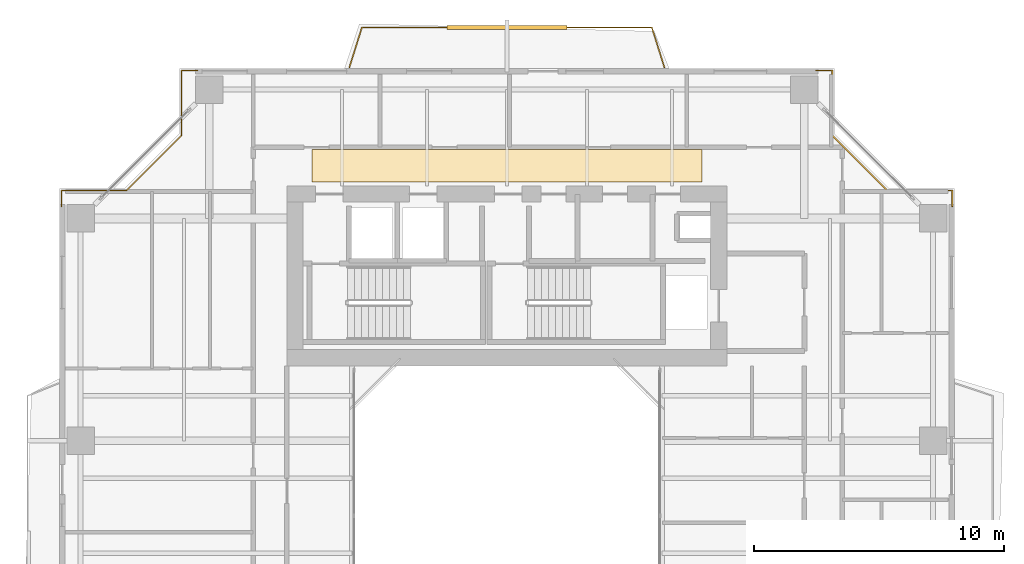
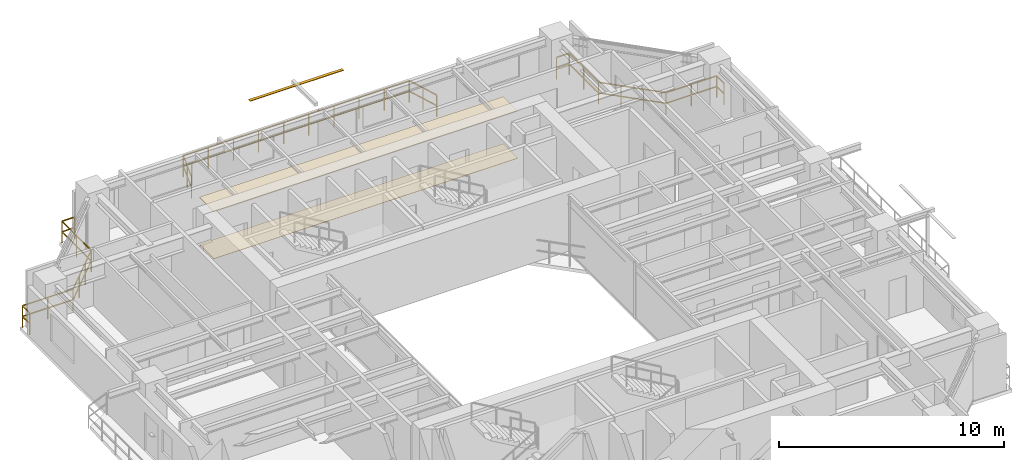
# One storey, part 17 of 17: 3 railings, 2 coverings, 1 shading device.
"""IFC4 building model written with IfcOpenShell, lengths in metres."""

from ifc_helpers import new_model, si_unit, direction, frame, origin, origin_2d, place, context, subcontext, project, spatial, polyline, rectangle, outline, extrude, source, transform, mapped, material, layer, layer_set, material_profile, profile_set, type_object, element, save


model = new_model("IFC4")

# Units and contexts
model_context = context("Model", 3, precision=1e-05, world=origin(), true_north=direction((0.0, 1.0)))
body_context = subcontext(model_context, "Body", "Model", "MODEL_VIEW")
ifc_project = project(units=[si_unit("LENGTHUNIT", "METRE"), si_unit("AREAUNIT", "SQUARE_METRE"), si_unit("VOLUMEUNIT", "CUBIC_METRE"), si_unit("PLANEANGLEUNIT", "RADIAN"), si_unit("MASSUNIT", "GRAM", prefix="KILO"), si_unit("THERMODYNAMICTEMPERATUREUNIT", "KELVIN"), si_unit("POWERUNIT", "WATT")], contexts=[model_context])

# Site, building, storey
site_placement = place(None, origin())
site = spatial("IfcSite", under=ifc_project, at=site_placement, CompositionType="ELEMENT")
building_placement = place(site_placement, origin())
building = spatial("IfcBuilding", under=site, at=building_placement, Name="Qiaomeng Ring Towers", CompositionType="ELEMENT")
storey_placement = place(building_placement, frame((0.0, 0.0, 116.5)))
storey = spatial("IfcBuildingStorey", under=building, at=storey_placement, Name="L33", CompositionType="ELEMENT", Elevation=116.5)

# Coverings
ifc_material_1 = material(Name="Moisture-resistant gypsum ceiling board", Category="gypsum")
ifc_layer_1 = layer(ifc_material_1, 0.030029296875, Name="Moisture-resistant gypsum ceiling board")
ifc_layer_set_1 = layer_set([ifc_layer_1], Name="Moisture-resistant gypsum ceiling board")
covering_type_1 = type_object("IfcCoveringType", Name="ARC-COV-CEIL2", PredefinedType="CEILING", material=ifc_layer_set_1)
covering_1_placement = place(storey_placement, frame((0.0, 0.0, 2.550048828125)))
element("IfcCovering", 1, at=covering_1_placement, inside=storey, type_object=covering_type_1, Name="L33 Corridor Acoustic Ceiling", PredefinedType="CEILING", context=body_context, shape_type="SweptSolid", body=[
    extrude(outline(polyline([(11.199951171875, 36.35009765625), (11.199951171875, 37.64990234375), (26.800048828125, 37.64990234375), (26.800048828125, 36.35009765625), (11.199951171875, 36.35009765625)])), origin(), (0.0, 0.0, 1.0), 0.02490234375),
])
ifc_material_2 = material(Name="Vitrified porcelain floor tile", Category="ceramic")
ifc_layer_2 = layer(ifc_material_2, 0.02001953125, Name="Vitrified porcelain floor tile")
ifc_layer_set_2 = layer_set([ifc_layer_2], Name="Vitrified porcelain floor tile")
covering_type_2 = type_object("IfcCoveringType", Name="ARC-COV-FLR1", PredefinedType="FLOORING", material=ifc_layer_set_2)
covering_2_placement = place(storey_placement, origin())
element("IfcCovering", 2, at=covering_2_placement, inside=storey, type_object=covering_type_2, Name="L33 Corridor Stone Flooring", PredefinedType="FLOORING", context=body_context, shape_type="SweptSolid", body=[
    extrude(outline(polyline([(11.199951171875, 36.35009765625), (11.199951171875, 37.64990234375), (26.800048828125, 37.64990234375), (26.800048828125, 36.35009765625), (11.199951171875, 36.35009765625)])), origin(), (0.0, 0.0, 1.0), 0.02001953125),
])

# Railings
ifc_material_3 = material(Name="Low-E pale-green laminated safety glass", Category="glass")
railing_type = type_object("IfcRailingType", Name="ARC-RL-BAL1", PredefinedType="BALUSTRADE", material=ifc_material_3)
railing_1_placement = place(storey_placement, frame((36.820068359375, 35.3701171875, 0.0)))
element("IfcRailing", 3, at=railing_1_placement, inside=storey, type_object=railing_type, Name="L33 Balustrade ARC-BAL-NOTCH1-L33-NE", PredefinedType="BALUSTRADE", context=body_context, shape_type="SweptSolid", body=[
    extrude(rectangle(XDim=0.048095703125, YDim=0.048095703125, at=origin_2d()), frame((0.0, 0.0, 1.17578125), z_axis=(0.0, 1.0, 0.0), x_axis=(-1.0, 0.0, 0.0)), (0.0, 0.0, 1.0), 0.64990234375),
    extrude(rectangle(XDim=0.048095703125, YDim=0.048095703125, at=origin_2d()), frame((0.0, 0.0, 0.60009765625), z_axis=(0.0, 1.0, 0.0), x_axis=(-1.0, 0.0, 0.0)), (0.0, 0.0, 1.0), 0.64990234375),
    extrude(rectangle(XDim=0.048095703125, YDim=0.048095703125, at=origin_2d()), frame((0.0, 0.64990234375, 1.17578125), z_axis=(-1.0, 0.0, 0.0), x_axis=(0.0, -1.0, 0.0)), (0.0, 0.0, 1.0), 2.60009765625),
    extrude(rectangle(XDim=0.048095703125, YDim=0.048095703125, at=origin_2d()), frame((0.0, 0.64990234375, 0.60009765625), z_axis=(-1.0, 0.0, 0.0), x_axis=(0.0, -1.0, 0.0)), (0.0, 0.0, 1.0), 2.60009765625),
    extrude(rectangle(XDim=0.048095703125, YDim=0.048095703125, at=origin_2d()), frame((-2.60009765625, 0.64990234375, 1.17578125), z_axis=(-0.707106781187, 0.707106781187, 0.0), x_axis=(-0.707106781187, -0.707106781187, 0.0)), (0.0, 0.0, 1.0), 3.111083984375),
    extrude(rectangle(XDim=0.048095703125, YDim=0.048095703125, at=origin_2d()), frame((-2.60009765625, 0.64990234375, 0.60009765625), z_axis=(-0.707106781187, 0.707106781187, 0.0), x_axis=(-0.707106781187, -0.707106781187, 0.0)), (0.0, 0.0, 1.0), 3.111083984375),
    extrude(rectangle(XDim=0.048095703125, YDim=0.048095703125, at=origin_2d()), frame((-4.800048828125, 2.849853515625, 1.17578125), z_axis=(0.0, 1.0, 0.0), x_axis=(-1.0, 0.0, 0.0)), (0.0, 0.0, 1.0), 2.60009765625),
    extrude(rectangle(XDim=0.048095703125, YDim=0.048095703125, at=origin_2d()), frame((-4.800048828125, 2.849853515625, 0.60009765625), z_axis=(0.0, 1.0, 0.0), x_axis=(-1.0, 0.0, 0.0)), (0.0, 0.0, 1.0), 2.60009765625),
    extrude(rectangle(XDim=0.048095703125, YDim=0.048095703125, at=origin_2d()), frame((-4.800048828125, 5.449951171875, 1.17578125), z_axis=(-1.0, 0.0, 0.0), x_axis=(0.0, -1.0, 0.0)), (0.0, 0.0, 1.0), 0.64990234375),
    extrude(rectangle(XDim=0.048095703125, YDim=0.048095703125, at=origin_2d()), frame((-4.800048828125, 5.449951171875, 0.60009765625), z_axis=(-1.0, 0.0, 0.0), x_axis=(0.0, -1.0, 0.0)), (0.0, 0.0, 1.0), 0.64990234375),
    extrude(rectangle(XDim=0.0419921875, YDim=0.0419921875, at=origin_2d()), origin(), (0.0, 0.0, 1.0), 1.15185546875),
    extrude(rectangle(XDim=0.0419921875, YDim=0.0419921875, at=origin_2d()), frame((0.0, 0.64990234375, 0.0)), (0.0, 0.0, 1.0), 1.15185546875),
    extrude(rectangle(XDim=0.0419921875, YDim=0.0419921875, at=origin_2d()), frame((-1.300048828125, 0.64990234375, 0.0)), (0.0, 0.0, 1.0), 1.15185546875),
    extrude(rectangle(XDim=0.0419921875, YDim=0.0419921875, at=origin_2d()), frame((-2.60009765625, 0.64990234375, 0.0)), (0.0, 0.0, 1.0), 1.15185546875),
    extrude(rectangle(XDim=0.0419921875, YDim=0.0419921875, at=origin_2d()), frame((-3.33349609375, 1.38330078125, 0.0)), (0.0, 0.0, 1.0), 1.15185546875),
    extrude(rectangle(XDim=0.0419921875, YDim=0.0419921875, at=origin_2d()), frame((-4.066650390625, 2.116455078125, 0.0)), (0.0, 0.0, 1.0), 1.15185546875),
    extrude(rectangle(XDim=0.0419921875, YDim=0.0419921875, at=origin_2d()), frame((-4.800048828125, 2.849853515625, 0.0)), (0.0, 0.0, 1.0), 1.15185546875),
    extrude(rectangle(XDim=0.0419921875, YDim=0.0419921875, at=origin_2d()), frame((-4.800048828125, 4.14990234375, 0.0)), (0.0, 0.0, 1.0), 1.15185546875),
    extrude(rectangle(XDim=0.0419921875, YDim=0.0419921875, at=origin_2d()), frame((-4.800048828125, 5.449951171875, 0.0)), (0.0, 0.0, 1.0), 1.15185546875),
    extrude(rectangle(XDim=0.0419921875, YDim=0.0419921875, at=origin_2d()), frame((-5.449951171875, 5.449951171875, 0.0)), (0.0, 0.0, 1.0), 1.15185546875),
])
railing_2_placement = place(storey_placement, frame((6.6298828125, 40.820068359375, 0.0)))
element("IfcRailing", 4, at=railing_2_placement, inside=storey, type_object=railing_type, Name="L33 Balustrade ARC-BAL-NOTCH1-L33-NW", PredefinedType="BALUSTRADE", context=body_context, shape_type="SweptSolid", body=[
    extrude(rectangle(XDim=0.048095703125, YDim=0.048095703125, at=origin_2d()), frame((0.0, 0.0, 1.17578125), z_axis=(-1.0, 0.0, 0.0), x_axis=(0.0, -1.0, 0.0)), (0.0, 0.0, 1.0), 0.64990234375),
    extrude(rectangle(XDim=0.048095703125, YDim=0.048095703125, at=origin_2d()), frame((0.0, 0.0, 0.60009765625), z_axis=(-1.0, 0.0, 0.0), x_axis=(0.0, -1.0, 0.0)), (0.0, 0.0, 1.0), 0.64990234375),
    extrude(rectangle(XDim=0.048095703125, YDim=0.048095703125, at=origin_2d()), frame((-0.64990234375, 0.0, 1.17578125), z_axis=(0.0, -1.0, 0.0), x_axis=(1.0, 0.0, 0.0)), (0.0, 0.0, 1.0), 2.60009765625),
    extrude(rectangle(XDim=0.048095703125, YDim=0.048095703125, at=origin_2d()), frame((-0.64990234375, 0.0, 0.60009765625), z_axis=(0.0, -1.0, 0.0), x_axis=(1.0, 0.0, 0.0)), (0.0, 0.0, 1.0), 2.60009765625),
    extrude(rectangle(XDim=0.048095703125, YDim=0.048095703125, at=origin_2d()), frame((-0.64990234375, -2.60009765625, 1.17578125), z_axis=(-0.707106781187, -0.707106781187, 0.0), x_axis=(0.707106781187, -0.707106781187, 0.0)), (0.0, 0.0, 1.0), 3.111083984375),
    extrude(rectangle(XDim=0.048095703125, YDim=0.048095703125, at=origin_2d()), frame((-0.64990234375, -2.60009765625, 0.60009765625), z_axis=(-0.707106781187, -0.707106781187, 0.0), x_axis=(0.707106781187, -0.707106781187, 0.0)), (0.0, 0.0, 1.0), 3.111083984375),
    extrude(rectangle(XDim=0.048095703125, YDim=0.048095703125, at=origin_2d()), frame((-2.849853515625, -4.800048828125, 1.17578125), z_axis=(-1.0, 0.0, 0.0), x_axis=(0.0, -1.0, 0.0)), (0.0, 0.0, 1.0), 2.60009765625),
    extrude(rectangle(XDim=0.048095703125, YDim=0.048095703125, at=origin_2d()), frame((-2.849853515625, -4.800048828125, 0.60009765625), z_axis=(-1.0, 0.0, 0.0), x_axis=(0.0, -1.0, 0.0)), (0.0, 0.0, 1.0), 2.60009765625),
    extrude(rectangle(XDim=0.048095703125, YDim=0.048095703125, at=origin_2d()), frame((-5.449951171875, -4.800048828125, 1.17578125), z_axis=(0.0, -1.0, 0.0), x_axis=(1.0, 0.0, 0.0)), (0.0, 0.0, 1.0), 0.64990234375),
    extrude(rectangle(XDim=0.048095703125, YDim=0.048095703125, at=origin_2d()), frame((-5.449951171875, -4.800048828125, 0.60009765625), z_axis=(0.0, -1.0, 0.0), x_axis=(1.0, 0.0, 0.0)), (0.0, 0.0, 1.0), 0.64990234375),
    extrude(rectangle(XDim=0.0419921875, YDim=0.0419921875, at=origin_2d()), origin(), (0.0, 0.0, 1.0), 1.15185546875),
    extrude(rectangle(XDim=0.0419921875, YDim=0.0419921875, at=origin_2d()), frame((-0.64990234375, 0.0, 0.0)), (0.0, 0.0, 1.0), 1.15185546875),
    extrude(rectangle(XDim=0.0419921875, YDim=0.0419921875, at=origin_2d()), frame((-0.64990234375, -1.300048828125, 0.0)), (0.0, 0.0, 1.0), 1.15185546875),
    extrude(rectangle(XDim=0.0419921875, YDim=0.0419921875, at=origin_2d()), frame((-0.64990234375, -2.60009765625, 0.0)), (0.0, 0.0, 1.0), 1.15185546875),
    extrude(rectangle(XDim=0.0419921875, YDim=0.0419921875, at=origin_2d()), frame((-1.38330078125, -3.33349609375, 0.0)), (0.0, 0.0, 1.0), 1.15185546875),
    extrude(rectangle(XDim=0.0419921875, YDim=0.0419921875, at=origin_2d()), frame((-2.116455078125, -4.066650390625, 0.0)), (0.0, 0.0, 1.0), 1.15185546875),
    extrude(rectangle(XDim=0.0419921875, YDim=0.0419921875, at=origin_2d()), frame((-2.849853515625, -4.800048828125, 0.0)), (0.0, 0.0, 1.0), 1.15185546875),
    extrude(rectangle(XDim=0.0419921875, YDim=0.0419921875, at=origin_2d()), frame((-4.14990234375, -4.800048828125, 0.0)), (0.0, 0.0, 1.0), 1.15185546875),
    extrude(rectangle(XDim=0.0419921875, YDim=0.0419921875, at=origin_2d()), frame((-5.449951171875, -4.800048828125, 0.0)), (0.0, 0.0, 1.0), 1.15185546875),
    extrude(rectangle(XDim=0.0419921875, YDim=0.0419921875, at=origin_2d()), frame((-5.449951171875, -5.449951171875, 0.0)), (0.0, 0.0, 1.0), 1.15185546875),
])
railing_3_placement = place(storey_placement, frame((12.699951171875, 40.949951171875, 0.0)))
element("IfcRailing", 5, at=railing_3_placement, inside=storey, type_object=railing_type, Name="L33 Balustrade ARC-BAL-L33-T1-N", PredefinedType="BALUSTRADE", context=body_context, shape_type="SweptSolid", body=[
    extrude(rectangle(XDim=0.048095703125, YDim=0.048095703125, at=origin_2d()), frame((0.0, 0.0, 1.17578125), z_axis=(0.299967512283, 0.953949417723, 0.0), x_axis=(-0.953949417723, 0.299967512283, 0.0)), (0.0, 0.0, 1.0), 1.666748046875),
    extrude(rectangle(XDim=0.048095703125, YDim=0.048095703125, at=origin_2d()), frame((0.0, 0.0, 0.60009765625), z_axis=(0.299967512283, 0.953949417723, 0.0), x_axis=(-0.953949417723, 0.299967512283, 0.0)), (0.0, 0.0, 1.0), 1.666748046875),
    extrude(rectangle(XDim=0.048095703125, YDim=0.048095703125, at=origin_2d()), frame((0.5, 1.590087890625, 1.17578125), z_axis=(1.0, 0.0, 0.0), x_axis=(0.0, 1.0, 0.0)), (0.0, 0.0, 1.0), 11.60009765625),
    extrude(rectangle(XDim=0.048095703125, YDim=0.048095703125, at=origin_2d()), frame((0.5, 1.590087890625, 0.60009765625), z_axis=(1.0, 0.0, 0.0), x_axis=(0.0, 1.0, 0.0)), (0.0, 0.0, 1.0), 11.60009765625),
    extrude(rectangle(XDim=0.048095703125, YDim=0.048095703125, at=origin_2d()), frame((12.10009765625, 1.590087890625, 1.17578125), z_axis=(0.299967512283, -0.953949417723, 0.0), x_axis=(0.953949417723, 0.299967512283, 0.0)), (0.0, 0.0, 1.0), 1.666748046875),
    extrude(rectangle(XDim=0.048095703125, YDim=0.048095703125, at=origin_2d()), frame((12.10009765625, 1.590087890625, 0.60009765625), z_axis=(0.299967512283, -0.953949417723, 0.0), x_axis=(0.953949417723, 0.299967512283, 0.0)), (0.0, 0.0, 1.0), 1.666748046875),
    extrude(rectangle(XDim=0.0419921875, YDim=0.0419921875, at=origin_2d()), origin(), (0.0, 0.0, 1.0), 1.15185546875),
    extrude(rectangle(XDim=0.0419921875, YDim=0.0419921875, at=origin_2d()), frame((0.25, 0.794921875, 0.0)), (0.0, 0.0, 1.0), 1.15185546875),
    extrude(rectangle(XDim=0.0419921875, YDim=0.0419921875, at=origin_2d()), frame((0.5, 1.590087890625, 0.0)), (0.0, 0.0, 1.0), 1.15185546875),
    extrude(rectangle(XDim=0.0419921875, YDim=0.0419921875, at=origin_2d()), frame((1.788818359375, 1.590087890625, 0.0)), (0.0, 0.0, 1.0), 1.15185546875),
    extrude(rectangle(XDim=0.0419921875, YDim=0.0419921875, at=origin_2d()), frame((3.077880859375, 1.590087890625, 0.0)), (0.0, 0.0, 1.0), 1.15185546875),
    extrude(rectangle(XDim=0.0419921875, YDim=0.0419921875, at=origin_2d()), frame((4.36669921875, 1.590087890625, 0.0)), (0.0, 0.0, 1.0), 1.15185546875),
    extrude(rectangle(XDim=0.0419921875, YDim=0.0419921875, at=origin_2d()), frame((5.655517578125, 1.590087890625, 0.0)), (0.0, 0.0, 1.0), 1.15185546875),
    extrude(rectangle(XDim=0.0419921875, YDim=0.0419921875, at=origin_2d()), frame((6.944580078125, 1.590087890625, 0.0)), (0.0, 0.0, 1.0), 1.15185546875),
    extrude(rectangle(XDim=0.0419921875, YDim=0.0419921875, at=origin_2d()), frame((8.2333984375, 1.590087890625, 0.0)), (0.0, 0.0, 1.0), 1.15185546875),
    extrude(rectangle(XDim=0.0419921875, YDim=0.0419921875, at=origin_2d()), frame((9.522216796875, 1.590087890625, 0.0)), (0.0, 0.0, 1.0), 1.15185546875),
    extrude(rectangle(XDim=0.0419921875, YDim=0.0419921875, at=origin_2d()), frame((10.811279296875, 1.590087890625, 0.0)), (0.0, 0.0, 1.0), 1.15185546875),
    extrude(rectangle(XDim=0.0419921875, YDim=0.0419921875, at=origin_2d()), frame((12.10009765625, 1.590087890625, 0.0)), (0.0, 0.0, 1.0), 1.15185546875),
    extrude(rectangle(XDim=0.0419921875, YDim=0.0419921875, at=origin_2d()), frame((12.35009765625, 0.794921875, 0.0)), (0.0, 0.0, 1.0), 1.15185546875),
    extrude(rectangle(XDim=0.0419921875, YDim=0.0419921875, at=origin_2d()), frame((12.60009765625, 0.0, 0.0)), (0.0, 0.0, 1.0), 1.15185546875),
])

# Shading device
ifc_material_4 = material(Name="Fluorocarbon dark-grey aluminium", Category="aluminium")
ifc_material_profile = material_profile(ifc_material_4, rectangle(XDim=0.14990234375, YDim=0.034912109375, at=origin_2d()), Name="LV BLADE 150x35")
ifc_profile_set = profile_set([ifc_material_profile], Name="Fluorocarbon dark-grey aluminium")
shading_device_type = type_object("IfcShadingDeviceType", Name="ARC-SHD-SUN", PredefinedType="AWNING", material=ifc_profile_set)
shared_shape = source(origin(), body_context, "Body", "SweptSolid", [
    extrude(rectangle(XDim=0.14990234375, YDim=0.034912109375, at=origin_2d()), origin(), (0.0, 0.0, 1.0), 4.7998046875),
])
shading_device_placement = place(storey_placement, frame((16.60009765625, 42.5400390625, 2.969970703125), z_axis=(1.0, 0.0, 0.0), x_axis=(0.0, 1.0, 0.0)))
element("IfcShadingDevice", 6, at=shading_device_placement, inside=storey, type_object=shading_device_type, Name="L33 Ventilated Outer-Skin Sunshade N", PredefinedType="AWNING", context=body_context, shape_type="MappedRepresentation", body=[
    mapped(shared_shape, transform((0.0, 0.0, 0.0), x_axis=(1.0, 0.0, 0.0), y_axis=(0.0, 1.0, 0.0), z_axis=(0.0, 0.0, 1.0), scale=1.0)),
])

save(model, "model.ifc")
